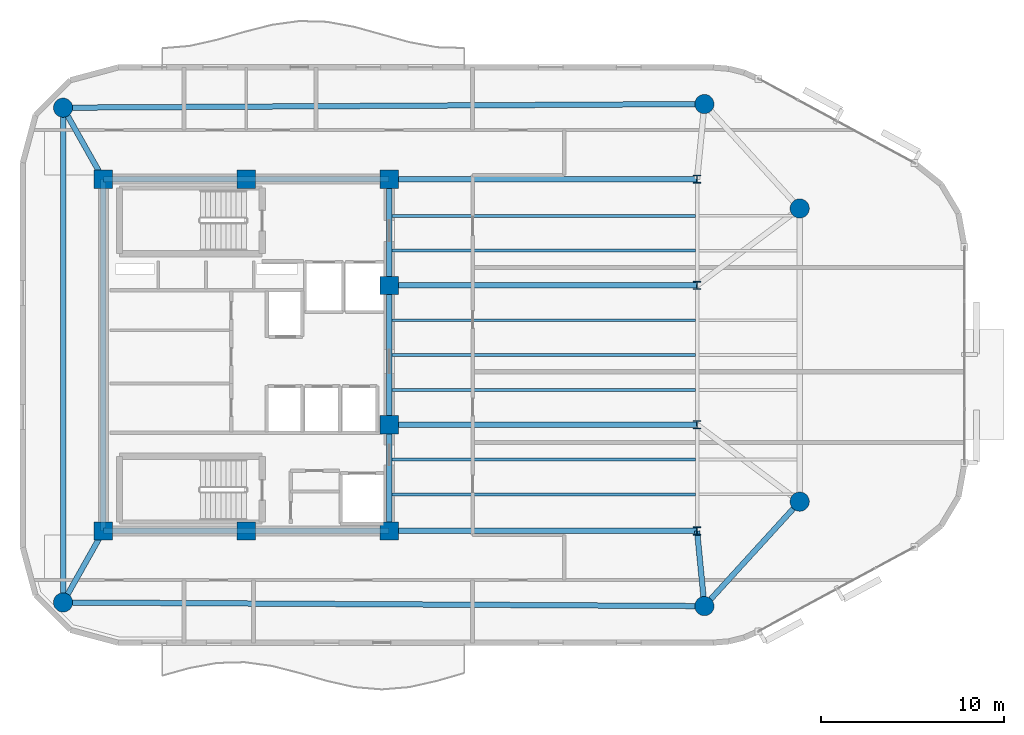
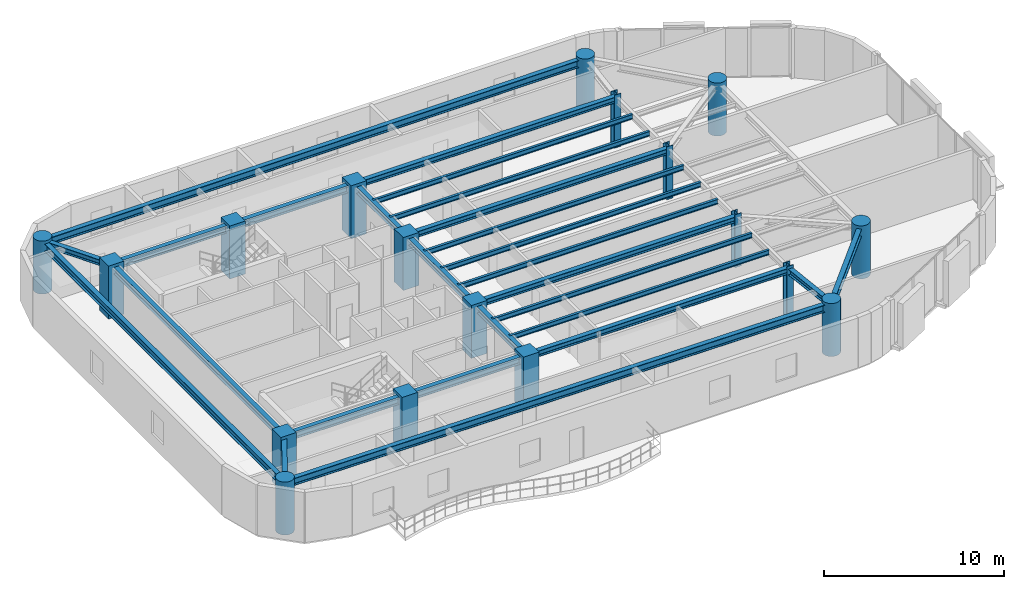
# One storey, part 1 of 13: 24 beams, 18 columns.
"""IFC4 building model written with IfcOpenShell, lengths in metres."""

from ifc_helpers import new_model, si_unit, direction, frame, origin, origin_2d, place, context, subcontext, project, spatial, rectangle, circle, i_section, extrude, material, material_profile, profile_set, type_object, element, save


model = new_model("IFC4")

# Units and contexts
model_context = context("Model", 3, precision=1e-05, world=origin(), true_north=direction((0.0, 1.0)))
body_context = subcontext(model_context, "Body", "Model", "MODEL_VIEW")
ifc_project = project(units=[si_unit("LENGTHUNIT", "METRE"), si_unit("AREAUNIT", "SQUARE_METRE"), si_unit("VOLUMEUNIT", "CUBIC_METRE"), si_unit("PLANEANGLEUNIT", "RADIAN"), si_unit("MASSUNIT", "GRAM", prefix="KILO")], contexts=[model_context])

# Site, building, storey
site_placement = place(None, origin())
site = spatial("IfcSite", under=ifc_project, at=site_placement, CompositionType="ELEMENT")
building_placement = place(site_placement, origin())
building = spatial("IfcBuilding", under=site, at=building_placement, Name="An Khanh Terracotta Commons", CompositionType="ELEMENT")
storey_placement = place(building_placement, frame((0.0, 0.0, 222.89990234375)))
storey = spatial("IfcBuildingStorey", under=building, at=storey_placement, Name="L58", CompositionType="ELEMENT", Elevation=222.89990234375)

# Columns
ifc_material_1 = material(Name="Concrete C60/75", Category="concrete")
ifc_material_profile_1 = material_profile(ifc_material_1, circle(Radius=0.52490234375, at=origin_2d()), Name="CFST1050")
ifc_profile_set_1 = profile_set([ifc_material_profile_1], Name="Concrete C60/75")
column_type_1 = type_object("IfcColumnType", Name="COL-CFST1050", PredefinedType="COLUMN", material=ifc_profile_set_1)
for number, where, z_axis, x_axis, name in (
    (1, (19.39990234375, 10.5, 0.0), (0.0, 0.0, 1.0), (1.0, 0.0, 0.0), "L58 Perimeter CFST Mega-Column MC-01"),
    (2, (54.39990234375, 10.300048828125, 0.0), (0.0, 0.0, 1.0), (1.0, 0.0, 0.0), "L58 Perimeter CFST Mega-Column MC-02"),
    (3, (59.60009765625, 16.0, 0.0), (0.0, 0.0, 1.0), (1.0, 0.0, 0.0), "L58 Perimeter CFST Mega-Column MC-03"),
    (4, (59.60009765625, 32.0, 0.0), (0.0, 0.0, 1.0), (1.0, 0.0, 0.0), "L58 Perimeter CFST Mega-Column MC-04"),
    (5, (54.39990234375, 37.699951171875, 0.0), (0.0, 0.0, 1.0), (1.0, 0.0, 0.0), "L58 Perimeter CFST Mega-Column MC-05"),
    (6, (19.39990234375, 37.5, 0.0), (0.0, 0.0, 1.0), (1.0, 0.0, 0.0), "L58 Perimeter CFST Mega-Column MC-06"),
):
    element("IfcColumn", number, at=place(storey_placement, frame(where, z_axis=z_axis, x_axis=x_axis)), inside=storey, type_object=column_type_1, Name=name, PredefinedType="COLUMN", context=body_context, shape_type="SweptSolid", body=[
        extrude(circle(Radius=0.52490234375, at=origin_2d()), origin(), (0.0, 0.0, 1.0), 3.60009765625),
    ])
ifc_material_2 = material(Name="Steel S460ML", Category="steel")
ifc_material_profile_2 = material_profile(ifc_material_2, i_section(OverallWidth=0.406005859375, OverallDepth=0.43994140625, WebThickness=0.02392578125, FlangeThickness=0.0390625, FilletRadius=0.014892578125, at=origin_2d()), Name="HD400x314")
ifc_profile_set_2 = profile_set([ifc_material_profile_2], Name="Steel S460ML")
column_type_2 = type_object("IfcColumnType", Name="COL-HD400x314", PredefinedType="COLUMN", material=ifc_profile_set_2)
for number, where, z_axis, x_axis, name in (
    (7, (54.0, 14.39990234375, 0.0), (0.0, 0.0, 1.0), (1.0, 0.0, 0.0), "L58 Interior Frame Column TC-01"),
    (8, (54.0, 20.199951171875, 0.0), (0.0, 0.0, 1.0), (1.0, 0.0, 0.0), "L58 Interior Frame Column TC-02"),
    (9, (54.0, 27.800048828125, 0.0), (0.0, 0.0, 1.0), (1.0, 0.0, 0.0), "L58 Interior Frame Column TC-03"),
    (10, (54.0, 33.60009765625, 0.0), (0.0, 0.0, 1.0), (1.0, 0.0, 0.0), "L58 Interior Frame Column TC-04"),
):
    element("IfcColumn", number, at=place(storey_placement, frame(where, z_axis=z_axis, x_axis=x_axis)), inside=storey, type_object=column_type_2, Name=name, PredefinedType="COLUMN", context=body_context, shape_type="SweptSolid", body=[
        extrude(i_section(OverallWidth=0.406005859375, OverallDepth=0.43994140625, WebThickness=0.02392578125, FlangeThickness=0.0390625, FilletRadius=0.014892578125, at=origin_2d()), origin(), (0.0, 0.0, 1.0), 3.60009765625),
    ])
ifc_material_profile_3 = material_profile(ifc_material_1, rectangle(XDim=1.0, YDim=1.0, at=origin_2d()), Name="RC1000x1000")
ifc_profile_set_3 = profile_set([ifc_material_profile_3], Name="Concrete C60/75")
column_type_3 = type_object("IfcColumnType", Name="COL-RC1000x1000", PredefinedType="COLUMN", material=ifc_profile_set_3)
for number, where, z_axis, x_axis, name in (
    (11, (21.60009765625, 14.39990234375, 0.0), (0.0, 0.0, 1.0), (1.0, 0.0, 0.0), "L58 Core Boundary Column CC-01"),
    (12, (29.39990234375, 14.39990234375, 0.0), (0.0, 0.0, 1.0), (1.0, 0.0, 0.0), "L58 Core Boundary Column CC-02"),
    (13, (37.199951171875, 14.39990234375, 0.0), (0.0, 0.0, 1.0), (1.0, 0.0, 0.0), "L58 Core Boundary Column CC-03"),
    (14, (37.199951171875, 20.199951171875, 0.0), (0.0, 0.0, 1.0), (1.0, 0.0, 0.0), "L58 Core Boundary Column CC-04"),
    (15, (37.199951171875, 27.800048828125, 0.0), (0.0, 0.0, 1.0), (1.0, 0.0, 0.0), "L58 Core Boundary Column CC-05"),
    (16, (37.199951171875, 33.60009765625, 0.0), (0.0, 0.0, 1.0), (1.0, 0.0, 0.0), "L58 Core Boundary Column CC-06"),
    (17, (29.39990234375, 33.60009765625, 0.0), (0.0, 0.0, 1.0), (1.0, 0.0, 0.0), "L58 Core Boundary Column CC-07"),
    (18, (21.60009765625, 33.60009765625, 0.0), (0.0, 0.0, 1.0), (1.0, 0.0, 0.0), "L58 Core Boundary Column CC-08"),
):
    element("IfcColumn", number, at=place(storey_placement, frame(where, z_axis=z_axis, x_axis=x_axis)), inside=storey, type_object=column_type_3, Name=name, PredefinedType="COLUMN", context=body_context, shape_type="SweptSolid", body=[
        extrude(rectangle(XDim=1.0, YDim=1.0, at=origin_2d()), origin(), (0.0, 0.0, 1.0), 3.60009765625),
    ])

# Beams
ifc_material_3 = material(Name="Steel S355J2", Category="steel")
ifc_material_profile_4 = material_profile(ifc_material_3, i_section(OverallWidth=0.300048828125, OverallDepth=0.39990234375, WebThickness=0.013427734375, FlangeThickness=0.02392578125, FilletRadius=0.027099609375, at=origin_2d()), Name="HEB400")
ifc_profile_set_4 = profile_set([ifc_material_profile_4], Name="Steel S355J2")
beam_type_1 = type_object("IfcBeamType", Name="BM-HEB400", PredefinedType="BEAM", material=ifc_profile_set_4)
for number, where, z_axis, x_axis, name in (
    (19, (37.199951171875, 14.39990234375, 3.2001953125), (1.0, 0.0, 0.0), (0.0, 1.0, 0.0), "L58 East Primary Floor Girder 1"),
    (20, (37.199951171875, 20.199951171875, 3.2001953125), (1.0, 0.0, 0.0), (0.0, 1.0, 0.0), "L58 East Primary Floor Girder 2"),
    (21, (37.199951171875, 27.800048828125, 3.2001953125), (1.0, 0.0, 0.0), (0.0, 1.0, 0.0), "L58 East Primary Floor Girder 3"),
    (22, (37.199951171875, 33.60009765625, 3.2001953125), (1.0, 0.0, 0.0), (0.0, 1.0, 0.0), "L58 East Primary Floor Girder 4"),
):
    element("IfcBeam", number, at=place(storey_placement, frame(where, z_axis=z_axis, x_axis=x_axis)), inside=storey, type_object=beam_type_1, Name=name, PredefinedType="BEAM", context=body_context, shape_type="SweptSolid", body=[
        extrude(i_section(OverallWidth=0.300048828125, OverallDepth=0.39990234375, WebThickness=0.013427734375, FlangeThickness=0.02392578125, FilletRadius=0.027099609375, at=origin_2d()), origin(), (0.0, 0.0, 1.0), 16.800048828125),
    ])
beam_1_placement = place(storey_placement, frame((19.39990234375, 10.5, 3.2001953125), z_axis=(0.491363608436, 0.870954536302, 0.0), x_axis=(-0.870954536302, 0.491363608436, 0.0)))
element("IfcBeam", 23, at=beam_1_placement, inside=storey, type_object=beam_type_1, Name="L58 Mega-Column Tie Girder 1", PredefinedType="BEAM", context=body_context, shape_type="SweptSolid", body=[
    extrude(i_section(OverallWidth=0.300048828125, OverallDepth=0.39990234375, WebThickness=0.013427734375, FlangeThickness=0.02392578125, FilletRadius=0.027099609375, at=origin_2d()), origin(), (0.0, 0.0, 1.0), 4.477783203125),
])
beam_2_placement = place(storey_placement, frame((54.39990234375, 10.300048828125, 3.2001953125), z_axis=(-0.097079917443, 0.995276589511, 0.0), x_axis=(-0.995276589511, -0.097079917443, 0.0)))
element("IfcBeam", 24, at=beam_2_placement, inside=storey, type_object=beam_type_1, Name="L58 Mega-Column Tie Girder 2", PredefinedType="BEAM", context=body_context, shape_type="SweptSolid", body=[
    extrude(i_section(OverallWidth=0.300048828125, OverallDepth=0.39990234375, WebThickness=0.013427734375, FlangeThickness=0.02392578125, FilletRadius=0.027099609375, at=origin_2d()), origin(), (0.0, 0.0, 1.0), 4.119384765625),
])
beam_3_placement = place(storey_placement, frame((19.39990234375, 37.5, 3.2001953125), z_axis=(0.491363608436, -0.870954536302, 0.0), x_axis=(0.870954536302, 0.491363608436, 0.0)))
element("IfcBeam", 25, at=beam_3_placement, inside=storey, type_object=beam_type_1, Name="L58 Mega-Column Tie Girder 6", PredefinedType="BEAM", context=body_context, shape_type="SweptSolid", body=[
    extrude(i_section(OverallWidth=0.300048828125, OverallDepth=0.39990234375, WebThickness=0.013427734375, FlangeThickness=0.02392578125, FilletRadius=0.027099609375, at=origin_2d()), origin(), (0.0, 0.0, 1.0), 4.477783203125),
])
ifc_material_profile_5 = material_profile(ifc_material_3, i_section(OverallWidth=0.300048828125, OverallDepth=0.449951171875, WebThickness=0.013916015625, FlangeThickness=0.02587890625, FilletRadius=0.027099609375, at=origin_2d()), Name="HEB450")
ifc_profile_set_5 = profile_set([ifc_material_profile_5], Name="Steel S355J2")
beam_type_2 = type_object("IfcBeamType", Name="BM-HEB450", PredefinedType="BEAM", material=ifc_profile_set_5)
beam_4_placement = place(storey_placement, frame((37.199951171875, 14.39990234375, 3.175048828125), z_axis=(0.0, 1.0, 0.0), x_axis=(-1.0, 0.0, 0.0)))
element("IfcBeam", 26, at=beam_4_placement, inside=storey, type_object=beam_type_2, Name="L58 Core East Coupling Girder 1", PredefinedType="BEAM", context=body_context, shape_type="SweptSolid", body=[
    extrude(i_section(OverallWidth=0.300048828125, OverallDepth=0.449951171875, WebThickness=0.013916015625, FlangeThickness=0.02587890625, FilletRadius=0.027099609375, at=origin_2d()), origin(), (0.0, 0.0, 1.0), 5.800048828125),
])
beam_5_placement = place(storey_placement, frame((37.199951171875, 20.199951171875, 3.175048828125), z_axis=(0.0, 1.0, 0.0), x_axis=(-1.0, 0.0, 0.0)))
element("IfcBeam", 27, at=beam_5_placement, inside=storey, type_object=beam_type_2, Name="L58 Core East Coupling Girder 2", PredefinedType="BEAM", context=body_context, shape_type="SweptSolid", body=[
    extrude(i_section(OverallWidth=0.300048828125, OverallDepth=0.449951171875, WebThickness=0.013916015625, FlangeThickness=0.02587890625, FilletRadius=0.027099609375, at=origin_2d()), origin(), (0.0, 0.0, 1.0), 7.60009765625),
])
beam_6_placement = place(storey_placement, frame((37.199951171875, 27.800048828125, 3.175048828125), z_axis=(0.0, 1.0, 0.0), x_axis=(-1.0, 0.0, 0.0)))
element("IfcBeam", 28, at=beam_6_placement, inside=storey, type_object=beam_type_2, Name="L58 Core East Coupling Girder 3", PredefinedType="BEAM", context=body_context, shape_type="SweptSolid", body=[
    extrude(i_section(OverallWidth=0.300048828125, OverallDepth=0.449951171875, WebThickness=0.013916015625, FlangeThickness=0.02587890625, FilletRadius=0.027099609375, at=origin_2d()), origin(), (0.0, 0.0, 1.0), 5.800048828125),
])
beam_7_placement = place(storey_placement, frame((21.60009765625, 14.39990234375, 3.175048828125), z_axis=(0.0, 1.0, 0.0), x_axis=(-1.0, 0.0, 0.0)))
element("IfcBeam", 29, at=beam_7_placement, inside=storey, type_object=beam_type_2, Name="L58 Core West Coupling Girder", PredefinedType="BEAM", context=body_context, shape_type="SweptSolid", body=[
    extrude(i_section(OverallWidth=0.300048828125, OverallDepth=0.449951171875, WebThickness=0.013916015625, FlangeThickness=0.02587890625, FilletRadius=0.027099609375, at=origin_2d()), origin(), (0.0, 0.0, 1.0), 19.2001953125),
])
ifc_material_profile_6 = material_profile(ifc_material_3, i_section(OverallWidth=0.300048828125, OverallDepth=0.5, WebThickness=0.014404296875, FlangeThickness=0.028076171875, FilletRadius=0.027099609375, at=origin_2d()), Name="HEB500")
ifc_profile_set_6 = profile_set([ifc_material_profile_6], Name="Steel S355J2")
beam_type_3 = type_object("IfcBeamType", Name="BM-HEB500", PredefinedType="BEAM", material=ifc_profile_set_6)
for number, where, z_axis, x_axis, name in (
    (30, (21.60009765625, 14.39990234375, 3.150146484375), (1.0, 0.0, 0.0), (0.0, 1.0, 0.0), "L58 Core South Coupling Girder"),
    (31, (21.60009765625, 33.60009765625, 3.150146484375), (1.0, 0.0, 0.0), (0.0, 1.0, 0.0), "L58 Core North Coupling Girder"),
):
    element("IfcBeam", number, at=place(storey_placement, frame(where, z_axis=z_axis, x_axis=x_axis)), inside=storey, type_object=beam_type_3, Name=name, PredefinedType="BEAM", context=body_context, shape_type="SweptSolid", body=[
        extrude(i_section(OverallWidth=0.300048828125, OverallDepth=0.5, WebThickness=0.014404296875, FlangeThickness=0.028076171875, FilletRadius=0.027099609375, at=origin_2d()), origin(), (0.0, 0.0, 1.0), 15.599853515625),
    ])
beam_8_placement = place(storey_placement, frame((19.39990234375, 10.5, 3.150146484375), z_axis=(0.99998368184, -0.005712797401, 0.0), x_axis=(0.005712797401, 0.99998368184, 0.0)))
element("IfcBeam", 32, at=beam_8_placement, inside=storey, type_object=beam_type_3, Name="L58 Perimeter Ring Spandrel 1", PredefinedType="BEAM", context=body_context, shape_type="SweptSolid", body=[
    extrude(i_section(OverallWidth=0.300048828125, OverallDepth=0.5, WebThickness=0.014404296875, FlangeThickness=0.028076171875, FilletRadius=0.027099609375, at=origin_2d()), origin(), (0.0, 0.0, 1.0), 35.00048828125),
])
beam_9_placement = place(storey_placement, frame((54.39990234375, 10.300048828125, 3.150146484375), z_axis=(0.673978953902, 0.738750546326, 0.0), x_axis=(-0.738750546326, 0.673978953902, 0.0)))
element("IfcBeam", 33, at=beam_9_placement, inside=storey, type_object=beam_type_3, Name="L58 Perimeter Ring Spandrel 2", PredefinedType="BEAM", context=body_context, shape_type="SweptSolid", body=[
    extrude(i_section(OverallWidth=0.300048828125, OverallDepth=0.5, WebThickness=0.014404296875, FlangeThickness=0.028076171875, FilletRadius=0.027099609375, at=origin_2d()), origin(), (0.0, 0.0, 1.0), 7.715576171875),
])
beam_10_placement = place(storey_placement, frame((54.39990234375, 37.699951171875, 3.150146484375), z_axis=(-0.99998368184, -0.005712797401, 0.0), x_axis=(0.005712797401, -0.99998368184, 0.0)))
element("IfcBeam", 34, at=beam_10_placement, inside=storey, type_object=beam_type_3, Name="L58 Perimeter Ring Spandrel 5", PredefinedType="BEAM", context=body_context, shape_type="SweptSolid", body=[
    extrude(i_section(OverallWidth=0.300048828125, OverallDepth=0.5, WebThickness=0.014404296875, FlangeThickness=0.028076171875, FilletRadius=0.027099609375, at=origin_2d()), origin(), (0.0, 0.0, 1.0), 35.00048828125),
])
beam_11_placement = place(storey_placement, frame((19.39990234375, 37.5, 3.150146484375), z_axis=(0.0, -1.0, 0.0), x_axis=(1.0, 0.0, 0.0)))
element("IfcBeam", 35, at=beam_11_placement, inside=storey, type_object=beam_type_3, Name="L58 Perimeter Ring Spandrel 6", PredefinedType="BEAM", context=body_context, shape_type="SweptSolid", body=[
    extrude(i_section(OverallWidth=0.300048828125, OverallDepth=0.5, WebThickness=0.014404296875, FlangeThickness=0.028076171875, FilletRadius=0.027099609375, at=origin_2d()), origin(), (0.0, 0.0, 1.0), 27.0),
])
ifc_material_profile_7 = material_profile(ifc_material_3, i_section(OverallWidth=0.159912109375, OverallDepth=0.330078125, WebThickness=0.007568359375, FlangeThickness=0.011474609375, FilletRadius=0.01806640625, at=origin_2d()), Name="IPE330")
ifc_profile_set_7 = profile_set([ifc_material_profile_7], Name="Steel S355J2")
beam_type_4 = type_object("IfcBeamType", Name="BM-IPE330", PredefinedType="JOIST", material=ifc_profile_set_7)
for number, where, z_axis, x_axis, name in (
    (36, (37.199951171875, 16.39990234375, 3.235107421875), (1.0, 0.0, 0.0), (0.0, 1.0, 0.0), "L58 Inboard Composite Joist 1"),
    (37, (37.199951171875, 18.300048828125, 3.235107421875), (1.0, 0.0, 0.0), (0.0, 1.0, 0.0), "L58 Inboard Composite Joist 2"),
    (38, (37.199951171875, 22.10009765625, 3.235107421875), (1.0, 0.0, 0.0), (0.0, 1.0, 0.0), "L58 Inboard Composite Joist 3"),
    (39, (37.199951171875, 24.0, 3.235107421875), (1.0, 0.0, 0.0), (0.0, 1.0, 0.0), "L58 Inboard Composite Joist 4"),
    (40, (37.199951171875, 25.89990234375, 3.235107421875), (1.0, 0.0, 0.0), (0.0, 1.0, 0.0), "L58 Inboard Composite Joist 5"),
    (41, (37.199951171875, 29.699951171875, 3.235107421875), (1.0, 0.0, 0.0), (0.0, 1.0, 0.0), "L58 Inboard Composite Joist 6"),
    (42, (37.199951171875, 31.60009765625, 3.235107421875), (1.0, 0.0, 0.0), (0.0, 1.0, 0.0), "L58 Inboard Composite Joist 7"),
):
    element("IfcBeam", number, at=place(storey_placement, frame(where, z_axis=z_axis, x_axis=x_axis)), inside=storey, type_object=beam_type_4, Name=name, PredefinedType="JOIST", context=body_context, shape_type="SweptSolid", body=[
        extrude(i_section(OverallWidth=0.159912109375, OverallDepth=0.330078125, WebThickness=0.007568359375, FlangeThickness=0.011474609375, FilletRadius=0.01806640625, at=origin_2d()), origin(), (0.0, 0.0, 1.0), 16.705078125),
    ])

save(model, "model.ifc")
